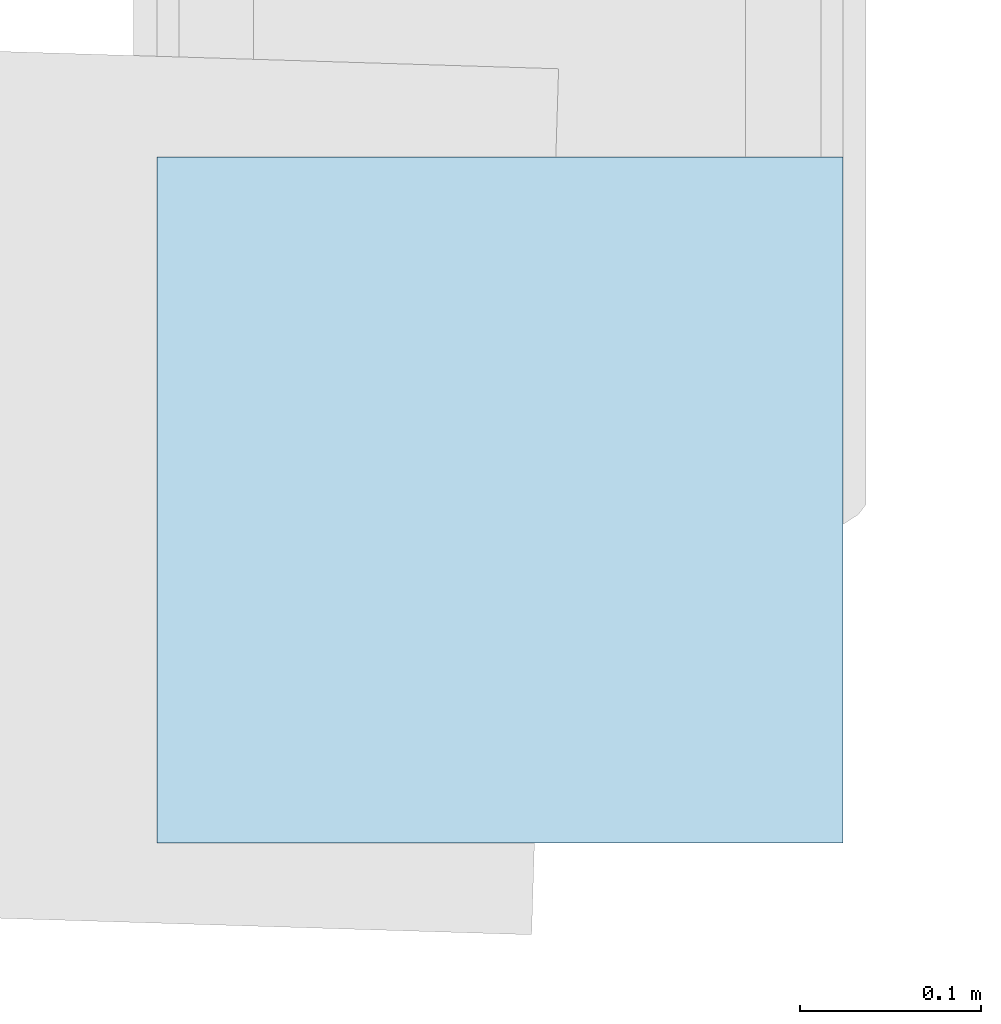
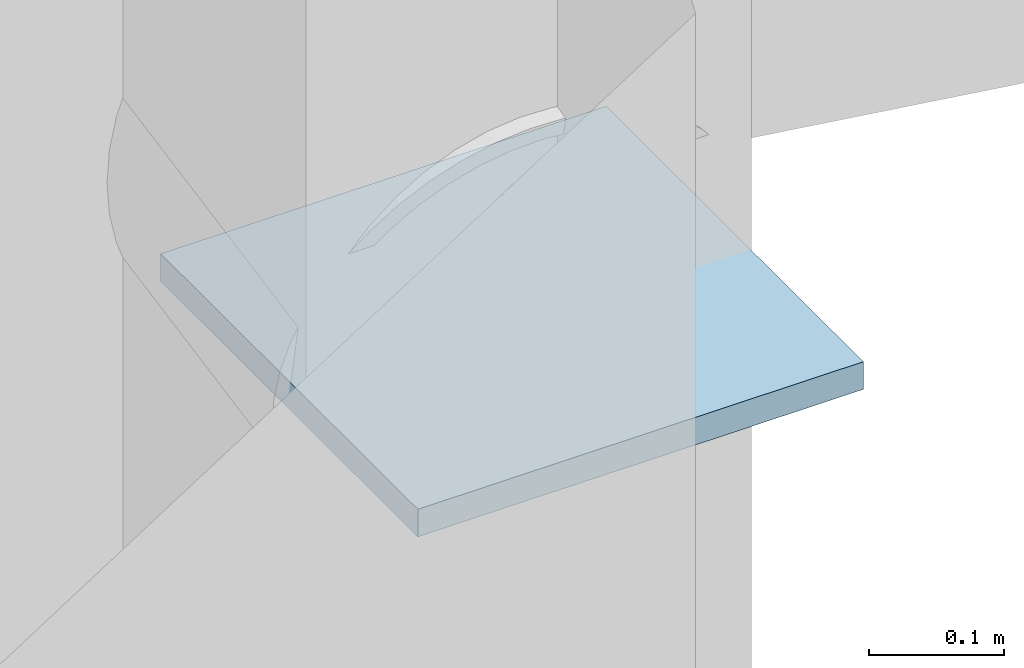
# One storey, part 22 of 29: 1 plate.
"""IFC4 building model written with IfcOpenShell, lengths in metres."""

from ifc_helpers import new_model, si_unit, direction, frame, origin, origin_2d, place, context, subcontext, project, spatial, rectangle, extrude, material, layer, layer_set, type_object, element, save


model = new_model("IFC4")

# Units and contexts
model_context = context("Model", 3, precision=1e-05, world=origin(), true_north=direction((0.0, 1.0)))
body_context = subcontext(model_context, "Body", "Model", "MODEL_VIEW")
ifc_project = project(units=[si_unit("LENGTHUNIT", "METRE"), si_unit("AREAUNIT", "SQUARE_METRE"), si_unit("VOLUMEUNIT", "CUBIC_METRE"), si_unit("PLANEANGLEUNIT", "RADIAN"), si_unit("MASSUNIT", "GRAM", prefix="KILO")], contexts=[model_context])

# Site, building, storey
site_placement = place(None, origin())
site = spatial("IfcSite", under=ifc_project, at=site_placement, CompositionType="ELEMENT")
building_placement = place(site_placement, origin())
building = spatial("IfcBuilding", under=site, at=building_placement, Name="Keelwater Ferry Terminal", CompositionType="ELEMENT")
storey_placement = place(building_placement, frame((0.0, 0.0, 27.89990234375)))
storey = spatial("IfcBuildingStorey", under=building, at=storey_placement, Name="RF", CompositionType="ELEMENT", Elevation=27.89990234375)

# Plate
ifc_material = material(Name="Steel S355", Category="steel")
ifc_layer = layer(ifc_material, 0.02490234375)
ifc_layer_set = layer_set([ifc_layer], Name="Steel S355")
plate_type = type_object("IfcPlateType", Name="CP4 380x380x25", PredefinedType="USERDEFINED", material=ifc_layer_set)
plate_placement = place(storey_placement, frame((132.0, 34.199951171875, -9.51025390625), z_axis=(0.0, 0.0, 1.0), x_axis=(0.0, 1.0, 0.0)))
element("IfcPlate", 1, at=plate_placement, inside=storey, type_object=plate_type, Name="Connection Gusset Plate 27", ObjectType="GUSSET PLATE", PredefinedType="USERDEFINED", context=body_context, shape_type="SweptSolid", body=[
    extrude(rectangle(XDim=0.3798828125, YDim=0.3798828125, at=origin_2d()), origin(), (0.0, 0.0, 1.0), 0.02490234375),
])

save(model, "model.ifc")
